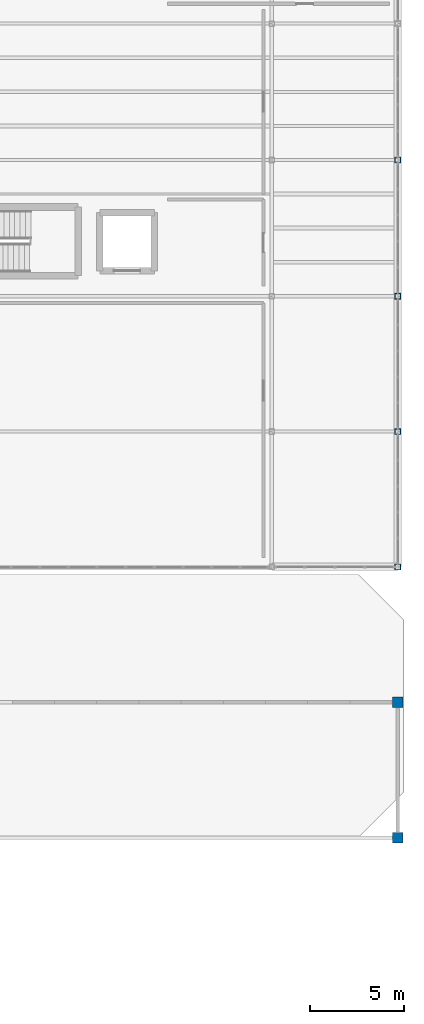
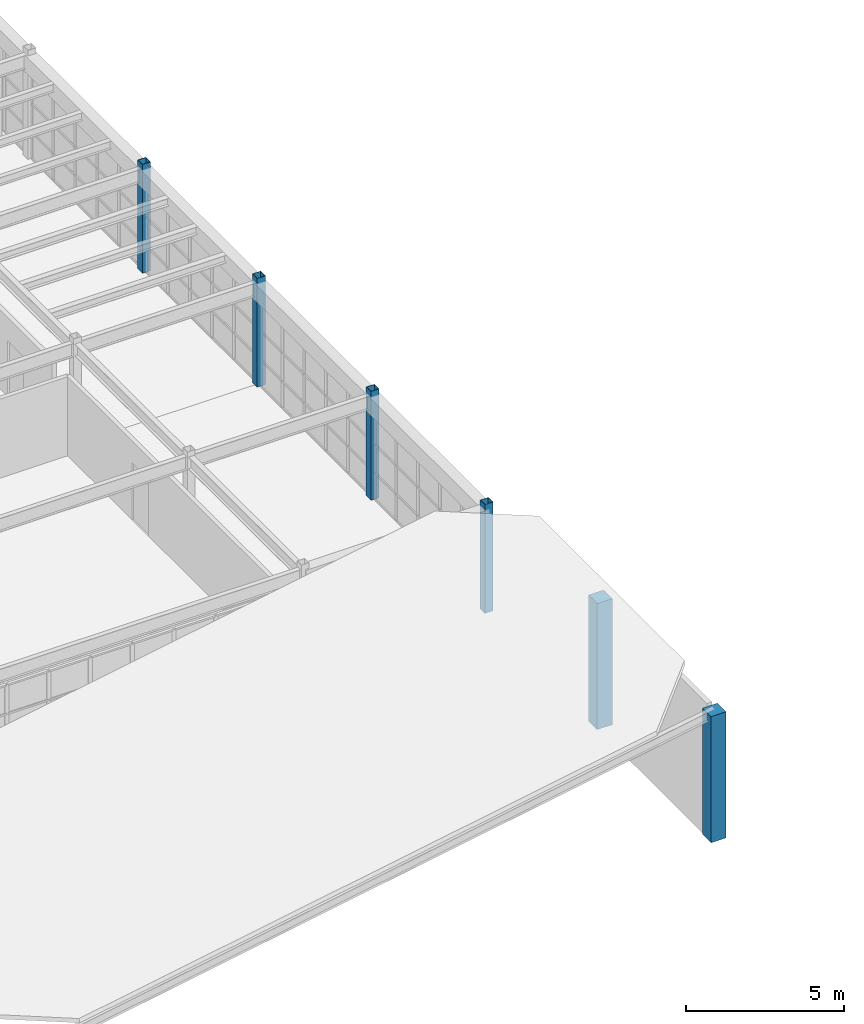
# One storey, part 4 of 52: 6 columns.
"""IFC4 building model written with IfcOpenShell, lengths in metres."""

from ifc_helpers import new_model, si_unit, direction, frame, origin, origin_2d, place, context, subcontext, project, spatial, rectangle, hollow_rectangle, extrude, material, material_profile, profile_set, type_object, element, save


model = new_model("IFC4")

# Units and contexts
model_context = context("Model", 3, precision=1e-05, world=origin(), true_north=direction((0.0, 1.0)))
body_context = subcontext(model_context, "Body", "Model", "MODEL_VIEW")
ifc_project = project(units=[si_unit("LENGTHUNIT", "METRE"), si_unit("AREAUNIT", "SQUARE_METRE"), si_unit("VOLUMEUNIT", "CUBIC_METRE"), si_unit("PLANEANGLEUNIT", "RADIAN"), si_unit("MASSUNIT", "GRAM", prefix="KILO")], contexts=[model_context])

# Site, building, storey
site_placement = place(None, origin())
site = spatial("IfcSite", under=ifc_project, at=site_placement, CompositionType="ELEMENT")
building_placement = place(site_placement, origin())
building = spatial("IfcBuilding", under=site, at=building_placement, Name="Candilejo Ridge Gondola Terminal", CompositionType="ELEMENT")
storey_placement = place(building_placement, frame((0.0, 0.0, 18.60009765625)))
storey = spatial("IfcBuildingStorey", under=building, at=storey_placement, Name="L04", CompositionType="ELEMENT", Elevation=18.60009765625)

# Columns
ifc_material_1 = material(Name="Steel ASTM A500 Grade C", Category="steel")
ifc_material_profile_1 = material_profile(ifc_material_1, hollow_rectangle(XDim=0.300048828125, YDim=0.300048828125, WallThickness=0.0126953125, at=origin_2d()))
ifc_profile_set_1 = profile_set([ifc_material_profile_1], Name="Steel ASTM A500 Grade C")
column_type_1 = type_object("IfcColumnType", Name="STR-COL-HSS300", PredefinedType="COLUMN", material=ifc_profile_set_1)
for number, where, z_axis, x_axis, name in (
    (1, (175.300048828125, 84.64990234375, 0.0), (0.0, 0.0, 1.0), (1.0, 0.0, 0.0), "Column V5 L04 X27-Y15"),
    (2, (175.300048828125, 91.85009765625, 0.0), (0.0, 0.0, 1.0), (1.0, 0.0, 0.0), "Column V5 L04 X27-Y16"),
    (3, (175.300048828125, 99.050048828125, 0.0), (0.0, 0.0, 1.0), (1.0, 0.0, 0.0), "Column V5 L04 X27-Y17"),
    (4, (175.300048828125, 106.300048828125, 0.0), (0.0, 0.0, 1.0), (1.0, 0.0, 0.0), "Column V5 L04 X27-Y18"),
):
    element("IfcColumn", number, at=place(storey_placement, frame(where, z_axis=z_axis, x_axis=x_axis)), inside=storey, type_object=column_type_1, Name=name, PredefinedType="COLUMN", context=body_context, shape_type="SweptSolid", body=[
        extrude(hollow_rectangle(XDim=0.300048828125, YDim=0.300048828125, WallThickness=0.0126953125, at=origin_2d()), origin(), (0.0, 0.0, 1.0), 4.199951171875),
    ])
ifc_material_2 = material(Name="Concrete f'c 35 MPa (C35/45)", Category="concrete")
ifc_material_profile_2 = material_profile(ifc_material_2, rectangle(XDim=0.550048828125, YDim=0.550048828125, at=origin_2d()))
ifc_profile_set_2 = profile_set([ifc_material_profile_2], Name="Concrete f'c 35 MPa (C35/45)")
column_type_2 = type_object("IfcColumnType", Name="STR-COL-RC550", PredefinedType="COLUMN", material=ifc_profile_set_2)
for number, where, z_axis, x_axis, name in (
    (5, (175.300048828125, 70.25, 0.0), (0.0, 0.0, 1.0), (1.0, 0.0, 0.0), "Roof ridge post RF-V5-MID1-01-E"),
    (6, (175.300048828125, 77.449951171875, 0.0), (0.0, 0.0, 1.0), (1.0, 0.0, 0.0), "Roof ridge post RF-V5-MID1-02-E"),
):
    element("IfcColumn", number, at=place(storey_placement, frame(where, z_axis=z_axis, x_axis=x_axis)), inside=storey, type_object=column_type_2, Name=name, PredefinedType="COLUMN", context=body_context, shape_type="SweptSolid", body=[
        extrude(rectangle(XDim=0.550048828125, YDim=0.550048828125, at=origin_2d()), origin(), (0.0, 0.0, 1.0), 4.86865234375),
    ])

save(model, "model.ifc")
